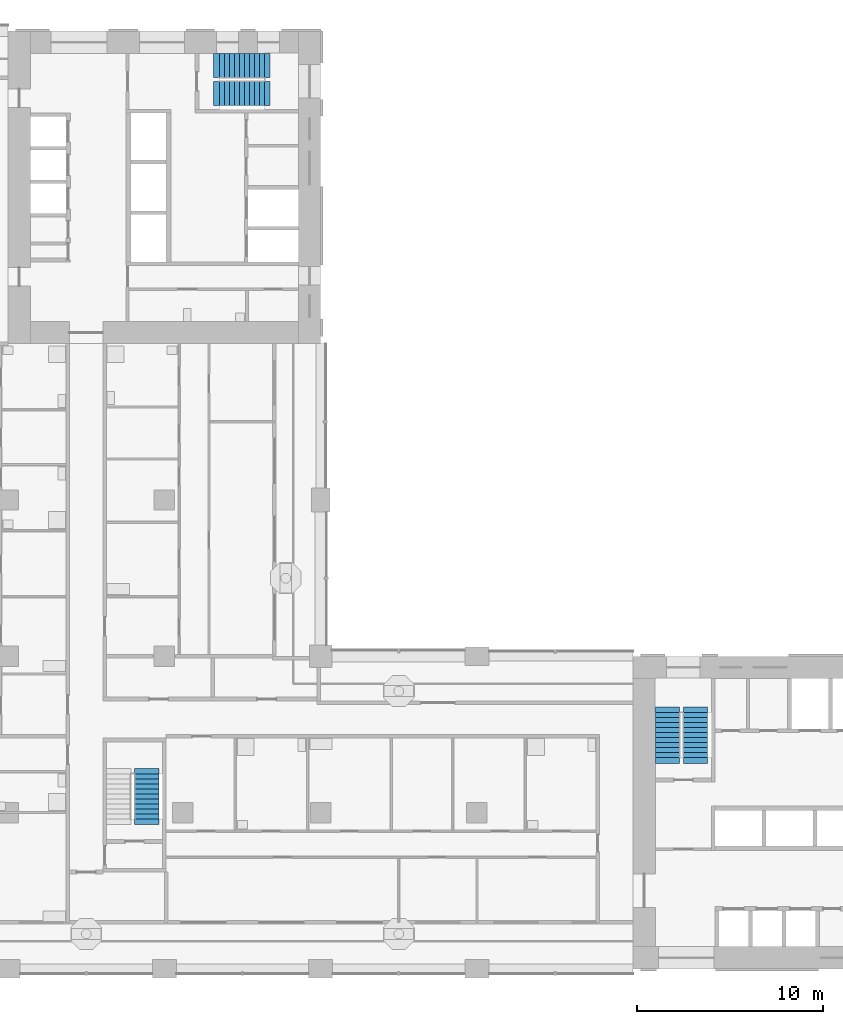
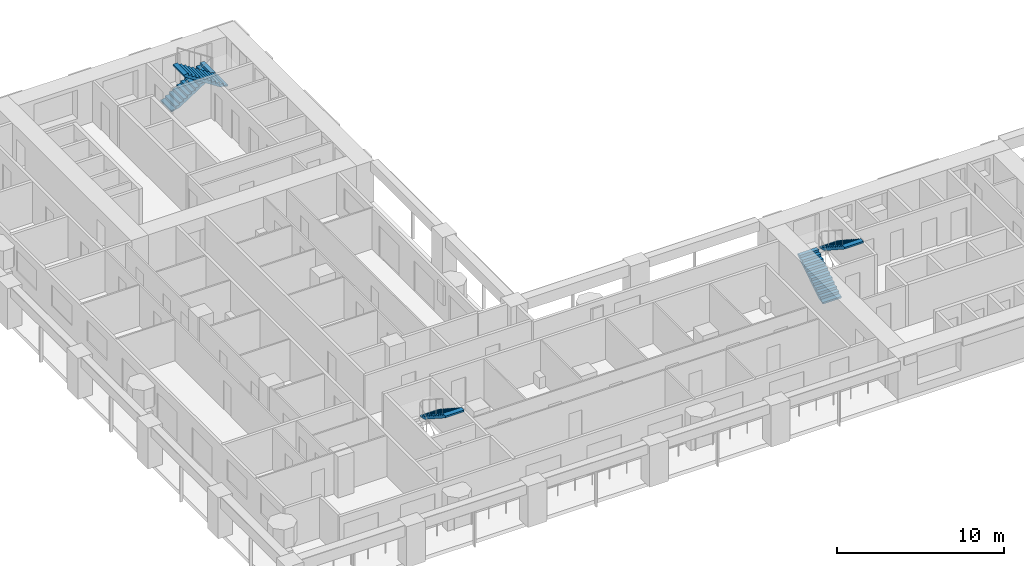
# One storey, part 8 of 18: 5 stair flights, 3 elements without a shape of their own.
"""IFC4 building model written with IfcOpenShell, lengths in metres."""

from ifc_helpers import new_model, si_unit, direction, frame, origin, place, context, subcontext, project, spatial, polyline, outline, extrude, material, type_object, element, aggregate, save


model = new_model("IFC4")

# Units and contexts
model_context = context("Model", 3, precision=1e-05, world=origin(), true_north=direction((0.0, 1.0)))
body_context = subcontext(model_context, "Body", "Model", "MODEL_VIEW")
ifc_project = project(units=[si_unit("LENGTHUNIT", "METRE"), si_unit("AREAUNIT", "SQUARE_METRE"), si_unit("VOLUMEUNIT", "CUBIC_METRE"), si_unit("PLANEANGLEUNIT", "RADIAN"), si_unit("MASSUNIT", "GRAM", prefix="KILO")], contexts=[model_context])

# Site, building, storey
site_placement = place(None, origin())
site = spatial("IfcSite", under=ifc_project, at=site_placement, CompositionType="ELEMENT")
building_placement = place(site_placement, origin())
building = spatial("IfcBuilding", under=site, at=building_placement, Name="Vermilion Gate Residences", CompositionType="ELEMENT")
storey_placement = place(building_placement, frame((0.0, 0.0, 137.199951171875)))
storey = spatial("IfcBuildingStorey", under=building, at=storey_placement, Name="L35", CompositionType="ELEMENT", Elevation=137.199951171875)

# Stair, stair flights
ifc_material_1 = material(Name="Concrete C50", Category="concrete")
stair_type = type_object("IfcStairType", Name="SPECIAL ESCAPE STAIR 1300", PredefinedType="HALF_TURN_STAIR", material=ifc_material_1)
stair_1_placement = place(storey_placement, origin())
stair_1 = element("IfcStair", 1, at=stair_1_placement, inside=storey, type_object=stair_type, Name="Special escape stair STA1-35", PredefinedType="HALF_TURN_STAIR")
ifc_material_2 = material(Name="Concrete C50", Category="concrete")
stair_flight_type = type_object("IfcStairFlightType", Name="STAIR FLIGHT 1300 RC C50", PredefinedType="STRAIGHT", material=ifc_material_2)
stair_flight_1_placement = place(storey_placement, frame((43.85009765625, 19.75, 0.0), z_axis=(0.0, 0.0, 1.0), x_axis=(0.0, 1.0, 0.0)))
stair_flight_1 = element("IfcStairFlight", 2, at=stair_flight_1_placement, type_object=stair_flight_type, Name="STA1-35 flight 1", NumberOfRisers=10, NumberOfTreads=9, PredefinedType="STRAIGHT", RiserHeight=0.175, TreadLength=0.27, context=body_context, shape_type="SweptSolid", body=[
    extrude(outline(polyline([(-0.300048828125, -0.14990234375), (-0.300048828125, -0.030029296875), (0.0, 0.0), (0.0, 0.175048828125), (0.27001953125, 0.175048828125), (0.27001953125, 0.35009765625), (0.5400390625, 0.35009765625), (0.5400390625, 0.52490234375), (0.81005859375, 0.52490234375), (0.81005859375, 0.699951171875), (1.080078125, 0.699951171875), (1.080078125, 0.875), (1.35009765625, 0.875), (1.35009765625, 1.050048828125), (1.6201171875, 1.050048828125), (1.6201171875, 1.22509765625), (1.889892578125, 1.22509765625), (1.889892578125, 1.39990234375), (2.159912109375, 1.39990234375), (2.159912109375, 1.574951171875), (2.429931640625, 1.574951171875), (2.429931640625, 1.75), (2.72998046875, 1.719970703125), (2.72998046875, 1.60009765625), (2.429931640625, 1.396484375), (0.275634765625, 0.0), (-0.300048828125, -0.14990234375)])), frame((0.0, 0.64990234375, 0.0), z_axis=(0.0, -1.0, 0.0), x_axis=(1.0, 0.0, 0.0)), (0.0, 0.0, 1.0), 1.300048828125),
])
stair_flight_2_placement = place(storey_placement, frame((45.35009765625, 22.179931640625, 1.75), z_axis=(0.0, 0.0, 1.0), x_axis=(0.0, -1.0, 0.0)))
stair_flight_2 = element("IfcStairFlight", 3, at=stair_flight_2_placement, type_object=stair_flight_type, Name="STA1-35 flight 2", NumberOfRisers=10, NumberOfTreads=9, PredefinedType="STRAIGHT", RiserHeight=0.175, TreadLength=0.27, context=body_context, shape_type="SweptSolid", body=[
    extrude(outline(polyline([(-0.300048828125, -0.14990234375), (-0.300048828125, -0.030029296875), (0.0, 0.0), (0.0, 0.175048828125), (0.27001953125, 0.175048828125), (0.27001953125, 0.35009765625), (0.5400390625, 0.35009765625), (0.5400390625, 0.52490234375), (0.81005859375, 0.52490234375), (0.81005859375, 0.699951171875), (1.080078125, 0.699951171875), (1.080078125, 0.875), (1.35009765625, 0.875), (1.35009765625, 1.050048828125), (1.6201171875, 1.050048828125), (1.6201171875, 1.22509765625), (1.889892578125, 1.22509765625), (1.889892578125, 1.39990234375), (2.159912109375, 1.39990234375), (2.159912109375, 1.574951171875), (2.429931640625, 1.574951171875), (2.429931640625, 1.75), (2.72998046875, 1.719970703125), (2.72998046875, 1.60009765625), (2.429931640625, 1.396484375), (0.275634765625, 0.0), (-0.300048828125, -0.14990234375)])), frame((0.0, 0.64990234375, 0.0), z_axis=(0.0, -1.0, 0.0), x_axis=(1.0, 0.0, 0.0)), (0.0, 0.0, 1.0), 1.300048828125),
])
aggregate(stair_1, [stair_flight_1, stair_flight_2])

stair_2_placement = place(storey_placement, origin())
stair_2 = element("IfcStair", 4, at=stair_2_placement, inside=storey, type_object=stair_type, Name="Special escape stair STB1-35", PredefinedType="HALF_TURN_STAIR")
stair_flight_3_placement = place(storey_placement, frame((19.75, 56.949951171875, 0.0), z_axis=(0.0, 0.0, 1.0), x_axis=(1.0, 0.0, 0.0)))
stair_flight_3 = element("IfcStairFlight", 5, at=stair_flight_3_placement, type_object=stair_flight_type, Name="STB1-35 flight 1", NumberOfRisers=10, NumberOfTreads=9, PredefinedType="STRAIGHT", RiserHeight=0.175, TreadLength=0.27, context=body_context, shape_type="SweptSolid", body=[
    extrude(outline(polyline([(-0.300048828125, -0.14990234375), (-0.300048828125, -0.030029296875), (0.0, 0.0), (0.0, 0.175048828125), (0.27001953125, 0.175048828125), (0.27001953125, 0.35009765625), (0.5400390625, 0.35009765625), (0.5400390625, 0.52490234375), (0.81005859375, 0.52490234375), (0.81005859375, 0.699951171875), (1.080078125, 0.699951171875), (1.080078125, 0.875), (1.35009765625, 0.875), (1.35009765625, 1.050048828125), (1.6201171875, 1.050048828125), (1.6201171875, 1.22509765625), (1.889892578125, 1.22509765625), (1.889892578125, 1.39990234375), (2.159912109375, 1.39990234375), (2.159912109375, 1.574951171875), (2.429931640625, 1.574951171875), (2.429931640625, 1.75), (2.72998046875, 1.719970703125), (2.72998046875, 1.60009765625), (2.429931640625, 1.396484375), (0.275634765625, 0.0), (-0.300048828125, -0.14990234375)])), frame((0.0, 0.64990234375, 0.0), z_axis=(0.0, -1.0, 0.0), x_axis=(1.0, 0.0, 0.0)), (0.0, 0.0, 1.0), 1.300048828125),
])
stair_flight_4_placement = place(storey_placement, frame((22.179931640625, 55.449951171875, 1.75), z_axis=(0.0, 0.0, 1.0), x_axis=(-1.0, 0.0, 0.0)))
stair_flight_4 = element("IfcStairFlight", 6, at=stair_flight_4_placement, type_object=stair_flight_type, Name="STB1-35 flight 2", NumberOfRisers=10, NumberOfTreads=9, PredefinedType="STRAIGHT", RiserHeight=0.175, TreadLength=0.27, context=body_context, shape_type="SweptSolid", body=[
    extrude(outline(polyline([(-0.300048828125, -0.14990234375), (-0.300048828125, -0.030029296875), (0.0, 0.0), (0.0, 0.175048828125), (0.27001953125, 0.175048828125), (0.27001953125, 0.35009765625), (0.5400390625, 0.35009765625), (0.5400390625, 0.52490234375), (0.81005859375, 0.52490234375), (0.81005859375, 0.699951171875), (1.080078125, 0.699951171875), (1.080078125, 0.875), (1.35009765625, 0.875), (1.35009765625, 1.050048828125), (1.6201171875, 1.050048828125), (1.6201171875, 1.22509765625), (1.889892578125, 1.22509765625), (1.889892578125, 1.39990234375), (2.159912109375, 1.39990234375), (2.159912109375, 1.574951171875), (2.429931640625, 1.574951171875), (2.429931640625, 1.75), (2.72998046875, 1.719970703125), (2.72998046875, 1.60009765625), (2.429931640625, 1.396484375), (0.275634765625, 0.0), (-0.300048828125, -0.14990234375)])), frame((0.0, 0.64990234375, 0.0), z_axis=(0.0, -1.0, 0.0), x_axis=(1.0, 0.0, 0.0)), (0.0, 0.0, 1.0), 1.300048828125),
])
aggregate(stair_2, [stair_flight_3, stair_flight_4])

# Stair, stair flight
stair_3_placement = place(storey_placement, origin())
stair_3 = element("IfcStair", 7, at=stair_3_placement, inside=storey, type_object=stair_type, Name="Special escape stair STC1-35", PredefinedType="HALF_TURN_STAIR")
stair_flight_5_placement = place(storey_placement, frame((15.85009765625, 18.8798828125, 1.75), z_axis=(0.0, 0.0, 1.0), x_axis=(0.0, -1.0, 0.0)))
stair_flight_5 = element("IfcStairFlight", 8, at=stair_flight_5_placement, type_object=stair_flight_type, Name="STC1-35 flight 2", NumberOfRisers=10, NumberOfTreads=9, PredefinedType="STRAIGHT", RiserHeight=0.175, TreadLength=0.27, context=body_context, shape_type="SweptSolid", body=[
    extrude(outline(polyline([(-0.300048828125, -0.14990234375), (-0.300048828125, -0.030029296875), (0.0, 0.0), (0.0, 0.175048828125), (0.27001953125, 0.175048828125), (0.27001953125, 0.35009765625), (0.5400390625, 0.35009765625), (0.5400390625, 0.52490234375), (0.81005859375, 0.52490234375), (0.81005859375, 0.699951171875), (1.080078125, 0.699951171875), (1.080078125, 0.875), (1.35009765625, 0.875), (1.35009765625, 1.050048828125), (1.6201171875, 1.050048828125), (1.6201171875, 1.22509765625), (1.889892578125, 1.22509765625), (1.889892578125, 1.39990234375), (2.159912109375, 1.39990234375), (2.159912109375, 1.574951171875), (2.429931640625, 1.574951171875), (2.429931640625, 1.75), (2.72998046875, 1.719970703125), (2.72998046875, 1.60009765625), (2.429931640625, 1.396484375), (0.275634765625, 0.0), (-0.300048828125, -0.14990234375)])), frame((0.0, 0.64990234375, 0.0), z_axis=(0.0, -1.0, 0.0), x_axis=(1.0, 0.0, 0.0)), (0.0, 0.0, 1.0), 1.300048828125),
])
aggregate(stair_3, [stair_flight_5])

save(model, "model.ifc")
